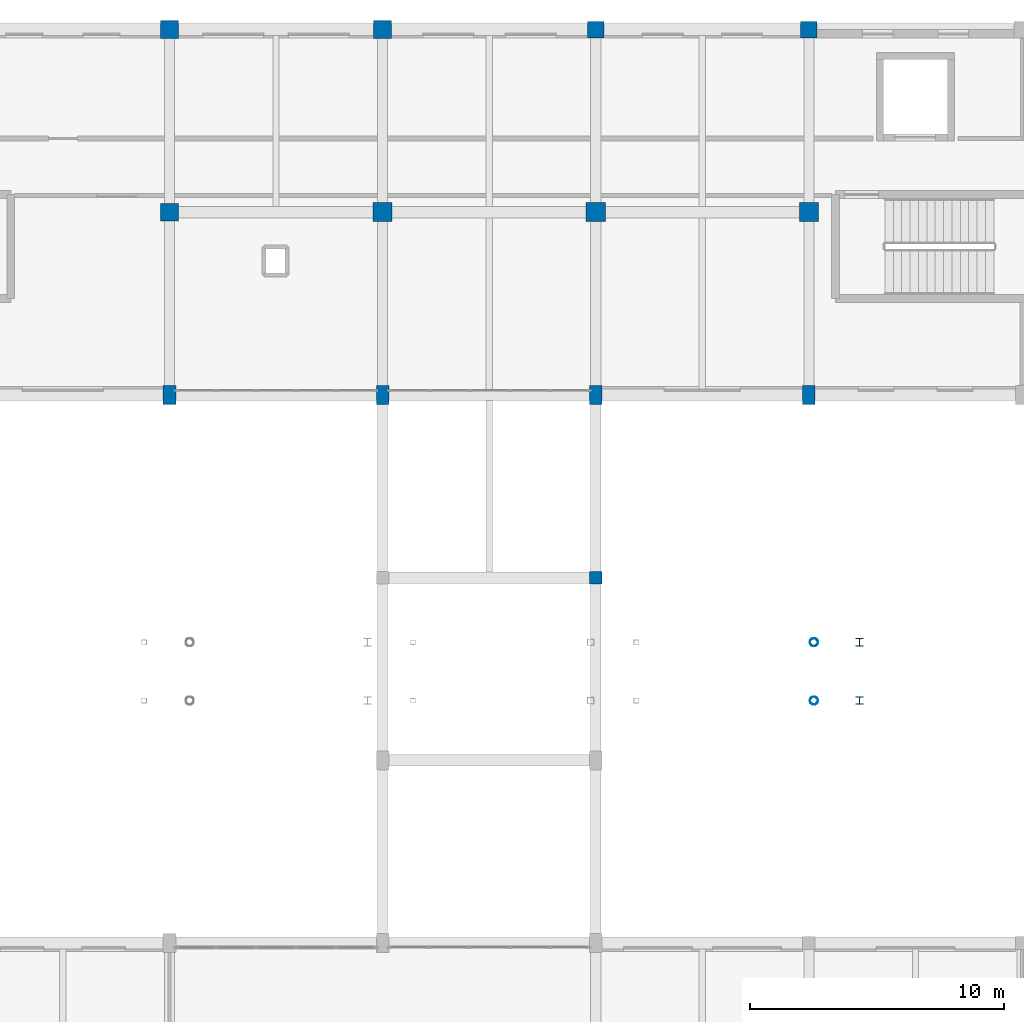
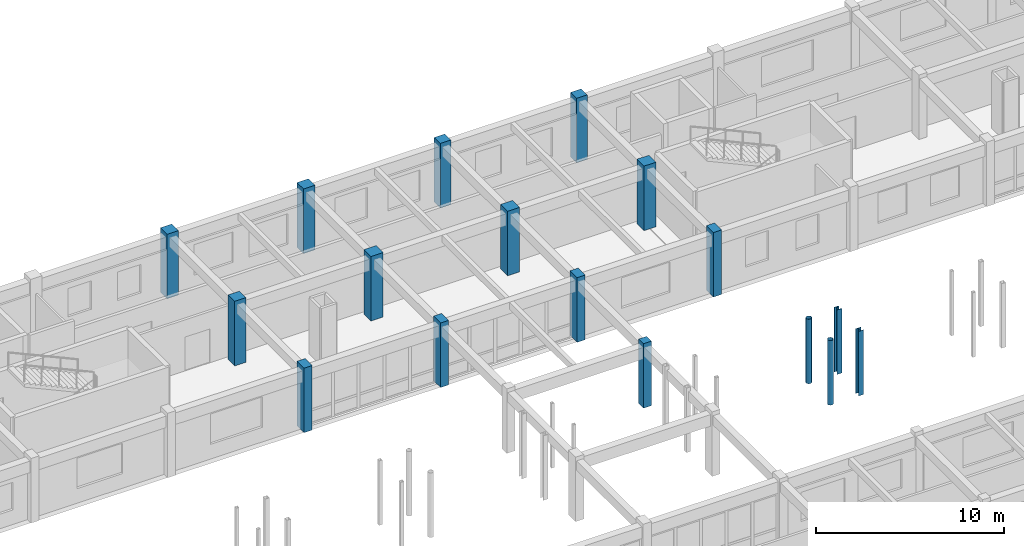
# One storey, part 21 of 90: 17 columns.
"""IFC4 building model written with IfcOpenShell, lengths in metres."""

from ifc_helpers import new_model, si_unit, direction, frame, origin, origin_2d, place, context, subcontext, project, spatial, rectangle, hollow_circle, i_section, extrude, material, material_profile, profile_set, type_object, element, save


model = new_model("IFC4")

# Units and contexts
model_context = context("Model", 3, precision=1e-05, world=origin(), true_north=direction((0.0, 1.0)))
body_context = subcontext(model_context, "Body", "Model", "MODEL_VIEW")
ifc_project = project(units=[si_unit("LENGTHUNIT", "METRE"), si_unit("AREAUNIT", "SQUARE_METRE"), si_unit("VOLUMEUNIT", "CUBIC_METRE"), si_unit("PLANEANGLEUNIT", "RADIAN"), si_unit("MASSUNIT", "GRAM", prefix="KILO")], contexts=[model_context])

# Site, building, storey
site_placement = place(None, origin())
site = spatial("IfcSite", under=ifc_project, at=site_placement, CompositionType="ELEMENT")
building_placement = place(site_placement, origin())
building = spatial("IfcBuilding", under=site, at=building_placement, Name="Malvenik Polytechnic", CompositionType="ELEMENT")
storey_placement = place(building_placement, frame((0.0, 0.0, 9.300048828125)))
storey = spatial("IfcBuildingStorey", under=building, at=storey_placement, Name="L02", CompositionType="ELEMENT", Elevation=9.300048828125)

# Columns
ifc_material_1 = material(Name="Concrete C40/50", Category="concrete")
ifc_material_profile_1 = material_profile(ifc_material_1, rectangle(XDim=0.75, YDim=0.75, at=origin_2d()), Name="RC COL 750x750")
ifc_profile_set_1 = profile_set([ifc_material_profile_1], Name="Concrete C40/50")
column_type_1 = type_object("IfcColumnType", Name="STR-COL-C-03", PredefinedType="COLUMN", material=ifc_profile_set_1)
for number, where, z_axis, x_axis, name in (
    (1, (75.60009765625, 122.39990234375, 0.0), (0.0, 0.0, 1.0), (1.0, 0.0, 0.0), "Column C-03 L02 (75.6,122.4)"),
    (2, (84.0, 122.39990234375, 0.0), (0.0, 0.0, 1.0), (1.0, 0.0, 0.0), "Column C-03 L02 (84.0,122.4)"),
    (3, (92.39990234375, 122.39990234375, 0.0), (0.0, 0.0, 1.0), (1.0, 0.0, 0.0), "Column C-03 L02 (92.4,122.4)"),
):
    element("IfcColumn", number, at=place(storey_placement, frame(where, z_axis=z_axis, x_axis=x_axis)), inside=storey, type_object=column_type_1, Name=name, PredefinedType="COLUMN", context=body_context, shape_type="SweptSolid", body=[
        extrude(rectangle(XDim=0.75, YDim=0.75, at=origin_2d()), origin(), (0.0, 0.0, 1.0), 4.199951171875),
    ])
ifc_material_profile_2 = material_profile(ifc_material_1, rectangle(XDim=0.699951171875, YDim=0.699951171875, at=origin_2d()), Name="RC COL 700x700")
ifc_profile_set_2 = profile_set([ifc_material_profile_2], Name="Concrete C40/50")
column_type_2 = type_object("IfcColumnType", Name="STR-COL-C-04", PredefinedType="COLUMN", material=ifc_profile_set_2)
for number, where, z_axis, x_axis, name in (
    (4, (67.199951171875, 122.39990234375, 0.0), (0.0, 0.0, 1.0), (1.0, 0.0, 0.0), "Column C-04 L02 (67.2,122.4)"),
    (5, (67.199951171875, 129.60009765625, 0.0), (0.0, 0.0, 1.0), (1.0, 0.0, 0.0), "Column C-04 L02 (67.2,129.6)"),
    (6, (75.60009765625, 129.60009765625, 0.0), (0.0, 0.0, 1.0), (1.0, 0.0, 0.0), "Column C-04 L02 (75.6,129.6)"),
):
    element("IfcColumn", number, at=place(storey_placement, frame(where, z_axis=z_axis, x_axis=x_axis)), inside=storey, type_object=column_type_2, Name=name, PredefinedType="COLUMN", context=body_context, shape_type="SweptSolid", body=[
        extrude(rectangle(XDim=0.699951171875, YDim=0.699951171875, at=origin_2d()), origin(), (0.0, 0.0, 1.0), 4.199951171875),
    ])
ifc_material_2 = material(Name="Concrete C35/45", Category="concrete")
ifc_material_profile_3 = material_profile(ifc_material_2, rectangle(XDim=0.64990234375, YDim=0.64990234375, at=origin_2d()), Name="RC COL 650x650")
ifc_profile_set_3 = profile_set([ifc_material_profile_3], Name="Concrete C35/45")
column_type_3 = type_object("IfcColumnType", Name="STR-COL-C-05", PredefinedType="COLUMN", material=ifc_profile_set_3)
for number, where, z_axis, x_axis, name in (
    (7, (84.0, 129.60009765625, 0.0), (0.0, 0.0, 1.0), (1.0, 0.0, 0.0), "Column C-05 L02 (84.0,129.6)"),
    (8, (92.39990234375, 129.60009765625, 0.0), (0.0, 0.0, 1.0), (1.0, 0.0, 0.0), "Column C-05 L02 (92.4,129.6)"),
):
    element("IfcColumn", number, at=place(storey_placement, frame(where, z_axis=z_axis, x_axis=x_axis)), inside=storey, type_object=column_type_3, Name=name, PredefinedType="COLUMN", context=body_context, shape_type="SweptSolid", body=[
        extrude(rectangle(XDim=0.64990234375, YDim=0.64990234375, at=origin_2d()), origin(), (0.0, 0.0, 1.0), 4.199951171875),
    ])
ifc_material_profile_4 = material_profile(ifc_material_2, rectangle(XDim=0.5, YDim=0.5, at=origin_2d()), Name="RC COL 500x500")
ifc_profile_set_4 = profile_set([ifc_material_profile_4], Name="Concrete C35/45")
column_type_4 = type_object("IfcColumnType", Name="STR-COL-C-08", PredefinedType="COLUMN", material=ifc_profile_set_4)
column_placement = place(storey_placement, frame((84.0, 108.0, 0.0), z_axis=(0.0, 0.0, 1.0), x_axis=(1.0, 0.0, 0.0)))
element("IfcColumn", 9, at=column_placement, inside=storey, type_object=column_type_4, Name="Column C-08 L02 (84.0,108.0)", PredefinedType="COLUMN", context=body_context, shape_type="SweptSolid", body=[
    extrude(rectangle(XDim=0.5, YDim=0.5, at=origin_2d()), origin(), (0.0, 0.0, 1.0), 4.199951171875),
])
ifc_material_profile_5 = material_profile(ifc_material_2, rectangle(XDim=0.5, YDim=0.75, at=origin_2d()), Name="RC COL 750x500")
ifc_profile_set_5 = profile_set([ifc_material_profile_5], Name="Concrete C35/45")
column_type_5 = type_object("IfcColumnType", Name="STR-COL-C-14", PredefinedType="COLUMN", material=ifc_profile_set_5)
for number, where, z_axis, x_axis, name in (
    (10, (67.199951171875, 115.199951171875, 0.0), (0.0, 0.0, 1.0), (1.0, 0.0, 0.0), "Column C-14 L02 (67.2,115.2)"),
    (11, (75.60009765625, 115.199951171875, 0.0), (0.0, 0.0, 1.0), (1.0, 0.0, 0.0), "Column C-14 L02 (75.6,115.2)"),
    (12, (84.0, 115.199951171875, 0.0), (0.0, 0.0, 1.0), (1.0, 0.0, 0.0), "Column C-14 L02 (84.0,115.2)"),
    (13, (92.39990234375, 115.199951171875, 0.0), (0.0, 0.0, 1.0), (1.0, 0.0, 0.0), "Column C-14 L02 (92.4,115.2)"),
):
    element("IfcColumn", number, at=place(storey_placement, frame(where, z_axis=z_axis, x_axis=x_axis)), inside=storey, type_object=column_type_5, Name=name, PredefinedType="COLUMN", context=body_context, shape_type="SweptSolid", body=[
        extrude(rectangle(XDim=0.5, YDim=0.75, at=origin_2d()), origin(), (0.0, 0.0, 1.0), 4.199951171875),
    ])
ifc_material_3 = material(Name="Steel S355J2H", Category="steel")
ifc_material_profile_6 = material_profile(ifc_material_3, hollow_circle(Radius=0.161865234375, WallThickness=0.012451171875, at=origin_2d()), Name="CHS 323.9x12.5")
ifc_profile_set_6 = profile_set([ifc_material_profile_6], Name="Steel S355J2H")
column_type_6 = type_object("IfcColumnType", Name="STR-SCOL-SC-04", PredefinedType="COLUMN", material=ifc_profile_set_6)
for number, where, z_axis, x_axis, name in (
    (14, (92.60009765625, 103.14990234375, 0.0), (0.0, 0.0, 1.0), (1.0, 0.0, 0.0), "Bridge-Ramp Support Column SC-04 L02"),
    (15, (92.60009765625, 105.449951171875, 0.0), (0.0, 0.0, 1.0), (1.0, 0.0, 0.0), "Bridge-Ramp Support Column SC-04 L02"),
):
    element("IfcColumn", number, at=place(storey_placement, frame(where, z_axis=z_axis, x_axis=x_axis)), inside=storey, type_object=column_type_6, Name=name, PredefinedType="COLUMN", context=body_context, shape_type="SweptSolid", body=[
        extrude(hollow_circle(Radius=0.161865234375, WallThickness=0.012451171875, at=origin_2d()), origin(), (0.0, 0.0, 1.0), 4.199951171875),
    ])
ifc_material_4 = material(Name="Steel S355", Category="steel")
ifc_material_profile_7 = material_profile(ifc_material_4, i_section(OverallWidth=0.300048828125, OverallDepth=0.300048828125, WebThickness=0.010986328125, FlangeThickness=0.01904296875, FilletRadius=0.027099609375, at=origin_2d()), Name="HEB 300")
ifc_profile_set_7 = profile_set([ifc_material_profile_7], Name="Steel S355")
column_type_7 = type_object("IfcColumnType", Name="STR-SCOL-SC-05", PredefinedType="COLUMN", material=ifc_profile_set_7)
for number, where, z_axis, x_axis, name in (
    (16, (94.39990234375, 103.14990234375, 0.0), (0.0, 0.0, 1.0), (1.0, 0.0, 0.0), "Bridge-Ramp Support Column SC-05 L02"),
    (17, (94.39990234375, 105.449951171875, 0.0), (0.0, 0.0, 1.0), (1.0, 0.0, 0.0), "Bridge-Ramp Support Column SC-05 L02"),
):
    element("IfcColumn", number, at=place(storey_placement, frame(where, z_axis=z_axis, x_axis=x_axis)), inside=storey, type_object=column_type_7, Name=name, PredefinedType="COLUMN", context=body_context, shape_type="SweptSolid", body=[
        extrude(i_section(OverallWidth=0.300048828125, OverallDepth=0.300048828125, WebThickness=0.010986328125, FlangeThickness=0.01904296875, FilletRadius=0.027099609375, at=origin_2d()), origin(), (0.0, 0.0, 1.0), 4.199951171875),
    ])

save(model, "model.ifc")
